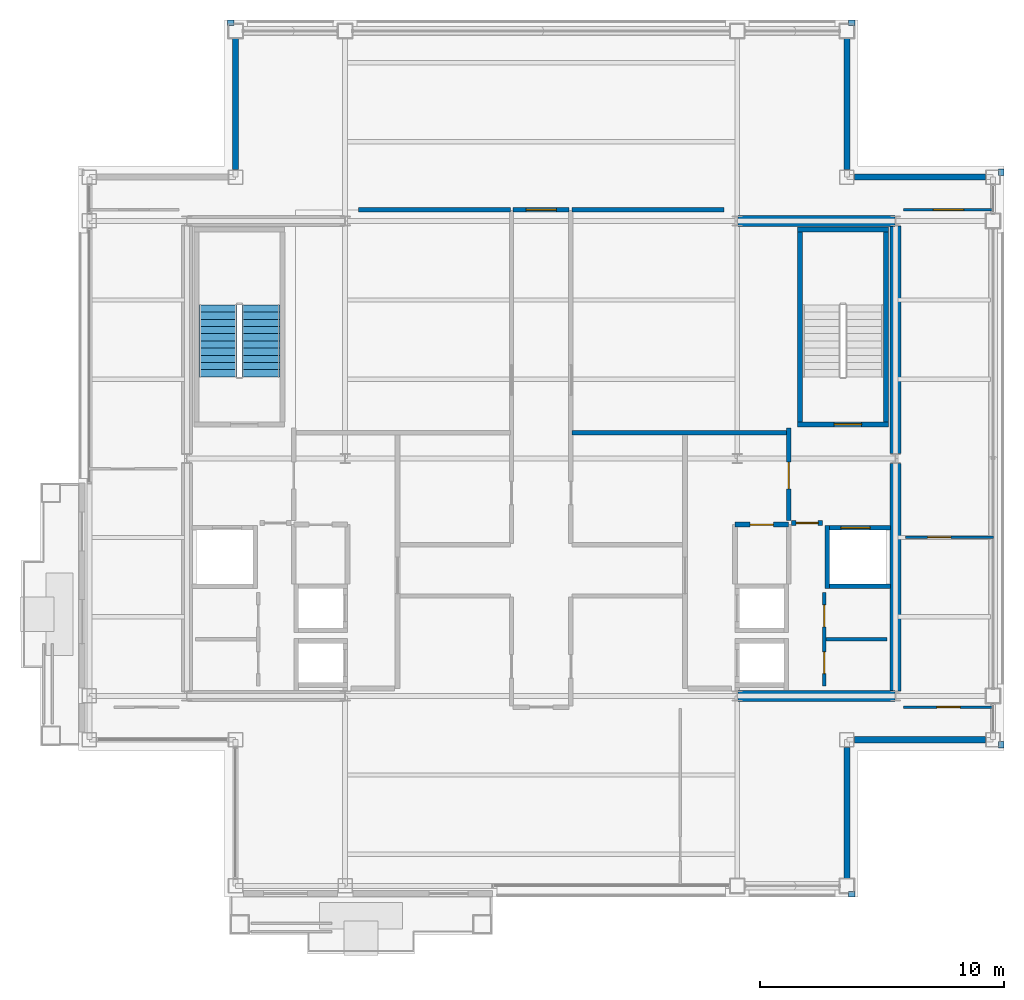
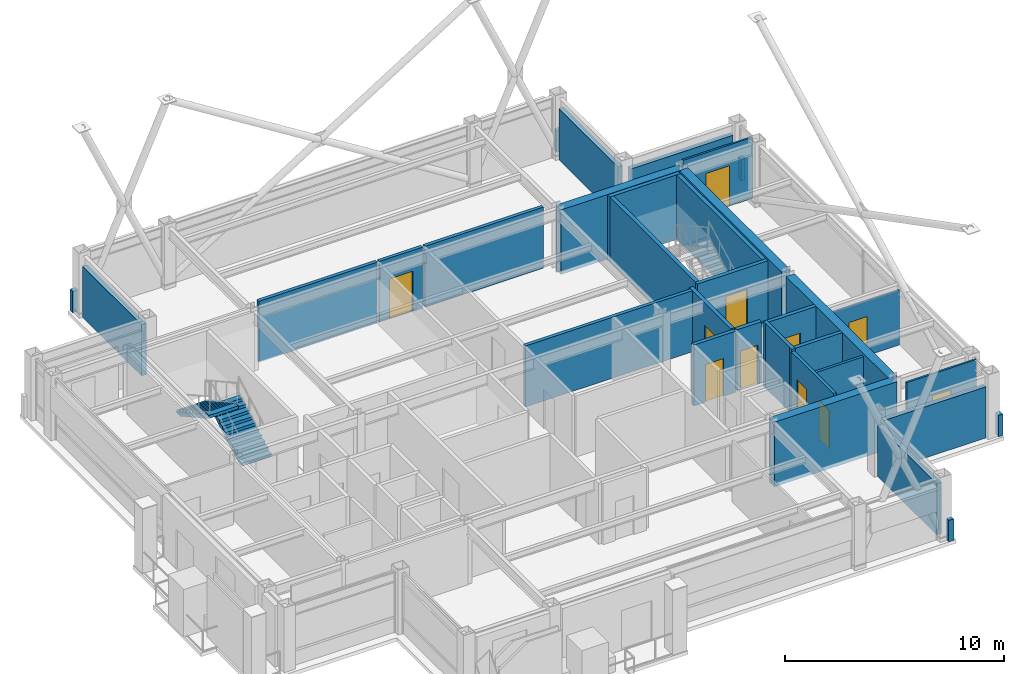
# One storey, part 24 of 27: 33 walls, 11 doors, 2 stair flights, 11 openings, 1 element without a shape of its own.
"""IFC4 building model written with IfcOpenShell, lengths in metres."""

import ifcopenshell
import ifcopenshell.guid

model = None  # the IFC model being written
_history = None  # IfcOwnerHistory: only IFC2X3 demands one
_inside = {}  # id of a spatial element -> (the spatial element, [elements in it])
_under = {}  # id of a project, library or spatial element -> (it, [spatial elements below it])
_declared = {}  # id of a project -> (the project, [libraries it declares])
_typed = {}  # id of a type object -> (the type object, [elements of that type])
_made_of = {}  # id of a material, layer set ... -> (it, [elements and type objects made of it])


def new_model(schema):
    """Start an empty IFC model of exactly this schema.

    Asked for "IFC4X3", IfcOpenShell would pick the latest addendum, in which some entities
    have other attributes; the version numbers below select the first issue.
    IFC2X3 requires an IfcOwnerHistory on every rooted entity: one is made here for all.
    """
    global model, _history
    if schema == "IFC4X3":
        model = ifcopenshell.file(schema_version=(4, 3, 0, 0))
    else:
        model = ifcopenshell.file(schema=schema)
    _inside.clear()
    _under.clear()
    _declared.clear()
    _typed.clear()
    _made_of.clear()
    _history = None
    if model.schema == "IFC2X3":
        org = make("IfcOrganization", Name="unknown")
        user = make(
            "IfcPersonAndOrganization",
            ThePerson=make("IfcPerson", FamilyName="unknown"),
            TheOrganization=org,
        )
        app = make(
            "IfcApplication",
            ApplicationDeveloper=org,
            Version="unknown",
            ApplicationFullName="unknown",
            ApplicationIdentifier="unknown",
        )
        _history = make(
            "IfcOwnerHistory",
            OwningUser=user,
            OwningApplication=app,
            ChangeAction="ADDED",
            CreationDate=0,
        )
    return model


def make(cls, **values):
    """One entity of the class cls with the attributes given. An attribute that is None is left unset."""
    return model.create_entity(
        cls, **{name: value for name, value in values.items() if value is not None}
    )


def rooted(cls, **values):
    """An entity with a GlobalId (a new one), such as an element, a storey or a relation."""
    return make(cls, GlobalId=ifcopenshell.guid.new(), OwnerHistory=_history, **values)


def si_unit(unit_type, name, prefix=None):
    """IfcSIUnit, for example si_unit("LENGTHUNIT", "METRE", prefix="MILLI")."""
    return make("IfcSIUnit", UnitType=unit_type, Prefix=prefix, Name=name)


def assignment(units):
    """IfcUnitAssignment: the units of a project."""
    return None if units is None else make("IfcUnitAssignment", Units=units)


def point(xyz):
    """IfcCartesianPoint."""
    return None if xyz is None else make("IfcCartesianPoint", Coordinates=xyz)


def direction(xyz):
    """IfcDirection."""
    return None if xyz is None else make("IfcDirection", DirectionRatios=xyz)


def frame(location, z_axis=None, x_axis=None):
    """IfcAxis2Placement3D, a coordinate frame: its origin and axes. An axis left out is left unset."""
    return make(
        "IfcAxis2Placement3D",
        Location=point(location),
        Axis=direction(z_axis),
        RefDirection=direction(x_axis),
    )


def frame_2d(location, x_axis=None):
    """IfcAxis2Placement2D, a coordinate frame in the plane: its origin and x axis."""
    return make(
        "IfcAxis2Placement2D", Location=point(location), RefDirection=direction(x_axis)
    )


def origin():
    """The frame at (0, 0, 0) with its axes left unset."""
    return frame((0.0, 0.0, 0.0))


def place(relative_to, where):
    """IfcLocalPlacement: puts the frame where relative to a parent placement (None: the world)."""
    return make(
        "IfcLocalPlacement", PlacementRelTo=relative_to, RelativePlacement=where
    )


def context(
    kind, dimensions, precision=None, world=None, true_north=None, identifier=None
):
    """IfcGeometricRepresentationContext, for example the 3D "Model" context."""
    return make(
        "IfcGeometricRepresentationContext",
        ContextIdentifier=identifier,
        ContextType=kind,
        CoordinateSpaceDimension=dimensions,
        Precision=precision,
        WorldCoordinateSystem=world,
        TrueNorth=true_north,
    )


def subcontext(parent, identifier, kind, view, scale=None):
    """IfcGeometricRepresentationSubContext, for example "Body" below "Model"."""
    return make(
        "IfcGeometricRepresentationSubContext",
        ContextIdentifier=identifier,
        ContextType=kind,
        ParentContext=parent,
        TargetScale=scale,
        TargetView=view,
    )


def project(units=None, contexts=None):
    """IfcProject with its units and contexts."""
    return rooted(
        "IfcProject",
        Name="project",
        RepresentationContexts=contexts,
        UnitsInContext=assignment(units),
    )


def spatial(cls, under=None, at=None, **own):
    """A site, building, storey or space (cls), placed at a placement, below another one or the project."""
    s = rooted(cls, ObjectPlacement=at, **own)
    if under is not None:
        _under.setdefault(under.id(), (under, []))[1].append(s)
    return s


def polyline(points):
    """IfcPolyline through the points."""
    return make("IfcPolyline", Points=[point(p) for p in points])


def profile(cls, at=None, kind="AREA", **sizes):
    """A parametric profile (cls). Its sizes go by their IFC names, for example OverallWidth=200.0."""
    return make(cls, ProfileType=kind, Position=at, **sizes)


def rectangle(**sizes):
    """IfcRectangleProfileDef."""
    return profile("IfcRectangleProfileDef", **sizes)


def outline(outer, holes=None, kind="AREA"):
    """IfcArbitraryClosedProfileDef: a profile drawn as a closed curve; with holes, ...WithVoids."""
    if holes is None:
        return make("IfcArbitraryClosedProfileDef", ProfileType=kind, OuterCurve=outer)
    return make(
        "IfcArbitraryProfileDefWithVoids",
        ProfileType=kind,
        OuterCurve=outer,
        InnerCurves=holes,
    )


def extrude(swept, where, along, depth):
    """IfcExtrudedAreaSolid: the profile swept, set in the frame where, extruded along a direction by depth."""
    return make(
        "IfcExtrudedAreaSolid",
        SweptArea=swept,
        Position=where,
        ExtrudedDirection=direction(along),
        Depth=depth,
    )


def shape(context_of_items, identifier, shape_type, items):
    """IfcShapeRepresentation: the items that make up one representation, for example the "Body"."""
    return make(
        "IfcShapeRepresentation",
        ContextOfItems=context_of_items,
        RepresentationIdentifier=identifier,
        RepresentationType=shape_type,
        Items=items,
    )


def material(Name=None, Category=None):
    """IfcMaterial."""
    return make("IfcMaterial", Name=Name, Category=Category)


def layer(
    of_material, thickness, ventilated=None, Name=None, Category=None, Priority=None
):
    """IfcMaterialLayer: one layer of a wall or slab, of a material (None: an air gap)."""
    return make(
        "IfcMaterialLayer",
        Material=of_material,
        LayerThickness=thickness,
        IsVentilated=ventilated,
        Name=Name,
        Category=Category,
        Priority=Priority,
    )


def layer_set(layers, Name=None):
    """IfcMaterialLayerSet."""
    return make("IfcMaterialLayerSet", MaterialLayers=layers, LayerSetName=Name)


def made_of(thing, what):
    """Note that an element or type object is made of a material, layer set ...; save() writes the relation."""
    if what is not None:
        _made_of.setdefault(what.id(), (what, []))[1].append(thing)
    return thing


def type_object(cls, material=None, **own):
    """A type object (cls), such as IfcWallType, which elements share."""
    return made_of(rooted(cls, **own), material)


def element(
    cls,
    number,
    at=None,
    inside=None,
    cuts=None,
    type_object=None,
    material=None,
    context=None,
    identifier="Body",
    shape_type=None,
    held_by="IfcProductDefinitionShape",
    body=None,
    shapes=None,
    **own,
):
    """One element of the class cls, such as IfcWall. Its Tag is "e" and its number.

    at: its placement. inside: the storey or other place that contains it. cuts: it is an
    opening in that element (IfcRelVoidsElement). A single representation is given by context,
    identifier, shape_type and body (its items); several are given by shapes. held_by: the class
    of the entity that holds the representations. save() writes the other relations.
    """
    e = rooted(cls, Tag="e%d" % number, ObjectPlacement=at, **own)
    if body is not None:
        shapes = [shape(context, identifier, shape_type, body)]
    if shapes is not None:
        e.Representation = make(held_by, Representations=shapes)
    if inside is not None:
        _inside.setdefault(inside.id(), (inside, []))[1].append(e)
    if cuts is not None:
        rooted(
            "IfcRelVoidsElement", RelatingBuildingElement=cuts, RelatedOpeningElement=e
        )
    if type_object is not None:
        _typed.setdefault(type_object.id(), (type_object, []))[1].append(e)
    return made_of(e, material)


def fill(opening, filler):
    """IfcRelFillsElement: the door or window that sits in an opening."""
    return rooted(
        "IfcRelFillsElement",
        RelatingOpeningElement=opening,
        RelatedBuildingElement=filler,
    )


def aggregate(whole, parts):
    """IfcRelAggregates: a whole, such as a stair, and the parts it consists of."""
    return rooted("IfcRelAggregates", RelatingObject=whole, RelatedObjects=parts)


def save(model, path):
    """Write the relations noted so far, then the file.

    IfcRelAggregates (storeys below a building ...), IfcRelContainedInSpatialStructure (elements
    in a storey), IfcRelDefinesByType, IfcRelAssociatesMaterial and IfcRelDeclares: one each for
    every whole, place, type object, material and project.
    """
    for whole, parts in _under.values():
        aggregate(whole, parts)
    for where, things in _inside.values():
        rooted(
            "IfcRelContainedInSpatialStructure",
            RelatedElements=things,
            RelatingStructure=where,
        )
    for kind, things in _typed.values():
        rooted("IfcRelDefinesByType", RelatedObjects=things, RelatingType=kind)
    for what, things in _made_of.values():
        rooted("IfcRelAssociatesMaterial", RelatedObjects=things, RelatingMaterial=what)
    for by, libraries in _declared.values():
        rooted("IfcRelDeclares", RelatingContext=by, RelatedDefinitions=libraries)
    model.write(path)


model = new_model("IFC4")

# Units and contexts
model_context = context("Model", 3, precision=1e-05, world=origin(), true_north=direction((0.0, 1.0)))
body_context = subcontext(model_context, "Body", "Model", "MODEL_VIEW")
ifc_project = project(units=[si_unit("LENGTHUNIT", "METRE"), si_unit("AREAUNIT", "SQUARE_METRE"), si_unit("VOLUMEUNIT", "CUBIC_METRE"), si_unit("PLANEANGLEUNIT", "RADIAN"), si_unit("MASSUNIT", "GRAM", prefix="KILO")], contexts=[model_context])

# Site, building, storey
site_placement = place(None, origin())
site = spatial("IfcSite", under=ifc_project, at=site_placement, CompositionType="ELEMENT")
building_placement = place(site_placement, origin())
building = spatial("IfcBuilding", under=site, at=building_placement, Name="Brelmoor Portico Tower", CompositionType="ELEMENT")
storey_placement = place(building_placement, frame((0.0, 0.0, 258.0)))
storey = spatial("IfcBuildingStorey", under=building, at=storey_placement, Name="L68", CompositionType="ELEMENT", Elevation=258.0)

# Walls
ifc_material_1 = material(Name="Concrete C50", Category="concrete")
ifc_layer_1 = layer(ifc_material_1, 0.449951171875)
ifc_layer_set_1 = layer_set([ifc_layer_1], Name="Concrete C50")
wall_type_1 = type_object("IfcWallType", Name="WL-CORE-450", PredefinedType="SHEAR", material=ifc_layer_set_1)
for number, where, z_axis, x_axis, name in (
    (1, (8.070068359375, -9.75, -0.199951171875), (0.0, 0.0, 1.0), (1.0, 0.0, 0.0), "L68 EC South Shear Wall"),
    (2, (8.070068359375, 9.75, -0.199951171875), (0.0, 0.0, 1.0), (1.0, 0.0, 0.0), "L68 EC North Shear Wall"),
):
    element("IfcWall", number, at=place(storey_placement, frame(where, z_axis=z_axis, x_axis=x_axis)), inside=storey, type_object=wall_type_1, Name=name, PredefinedType="SHEAR", context=body_context, shape_type="SweptSolid", body=[
        extrude(rectangle(XDim=6.4599609375, YDim=0.449951171875, at=frame_2d((3.22998046875, 0.0))), origin(), (0.0, 0.0, 1.0), 3.599853515625),
    ])
for number, where, z_axis, x_axis, name in (
    (3, (14.550048828125, -9.550048828125, -0.199951171875), (0.0, 0.0, 1.0), (0.0, 1.0, 0.0), "L68 EC Outer South Shear Wall"),
    (4, (14.550048828125, 0.199951171875, -0.199951171875), (0.0, 0.0, 1.0), (0.0, 1.0, 0.0), "L68 EC Outer North Shear Wall"),
):
    element("IfcWall", number, at=place(storey_placement, frame(where, z_axis=z_axis, x_axis=x_axis)), inside=storey, type_object=wall_type_1, Name=name, PredefinedType="SHEAR", context=body_context, shape_type="SweptSolid", body=[
        extrude(rectangle(XDim=9.35009765625, YDim=0.449951171875, at=frame_2d((4.675048828125, 0.0))), origin(), (0.0, 0.0, 1.0), 3.599853515625),
    ])
ifc_material_2 = material(Name="Precast Concrete C40 Insulated Facade Wall", Category="concrete")
ifc_layer_2 = layer(ifc_material_2, 0.25)
ifc_layer_set_2 = layer_set([ifc_layer_2], Name="Precast Concrete C40 Insulated Facade Wall")
wall_type_2 = type_object("IfcWallType", Name="WL-EXT-250", PredefinedType="STANDARD", material=ifc_layer_set_2)
for number, where, z_axis, x_axis, name in (
    (5, (12.860107421875, -11.550048828125, 0.0), (0.0, 0.0, 1.0), (1.0, 0.0, 0.0), "L68 Corner Notch Facade Wall NSEH1"),
    (6, (12.550048828125, -17.239990234375, 0.0), (0.0, 0.0, 1.0), (0.0, 1.0, 0.0), "L68 Corner Notch Facade Wall NSEV1"),
    (7, (-12.550048828125, 11.860107421875, 0.0), (0.0, 0.0, 1.0), (0.0, 1.0, 0.0), "L68 Corner Notch Facade Wall NNWV1"),
    (8, (12.860107421875, 11.550048828125, 0.0), (0.0, 0.0, 1.0), (1.0, 0.0, 0.0), "L68 Corner Notch Facade Wall NNEH1"),
    (9, (12.550048828125, 11.860107421875, 0.0), (0.0, 0.0, 1.0), (0.0, 1.0, 0.0), "L68 Corner Notch Facade Wall NNEV1"),
):
    element("IfcWall", number, at=place(storey_placement, frame(where, z_axis=z_axis, x_axis=x_axis)), inside=storey, type_object=wall_type_2, Name=name, PredefinedType="STANDARD", context=body_context, shape_type="SweptSolid", body=[
        extrude(rectangle(XDim=5.3798828125, YDim=0.25, at=frame_2d((2.68994140625, 0.0))), origin(), (0.0, 0.0, 1.0), 2.85009765625),
    ])
ifc_material_3 = material(Name="Concrete C40 Parapet Upstand", Category="concrete")
ifc_layer_3 = layer(ifc_material_3, 0.219970703125)
ifc_layer_set_3 = layer_set([ifc_layer_3], Name="Concrete C40 Parapet Upstand")
wall_type_3 = type_object("IfcWallType", Name="WL-PARAPET-220", PredefinedType="PARAPET", material=ifc_layer_set_3)
for number, where, z_axis, x_axis, name in (
    (10, (12.6201171875, -17.889892578125, 0.0), (0.0, 0.0, 1.0), (1.0, 0.0, 0.0), "L68 Chamfer Vertex Parapet Pier SE1"),
    (11, (18.889892578125, -11.889892578125, 0.0), (0.0, 0.0, 1.0), (0.0, 1.0, 0.0), "L68 Chamfer Vertex Parapet Pier SE2"),
    (12, (-12.889892578125, 17.889892578125, 0.0), (0.0, 0.0, 1.0), (1.0, 0.0, 0.0), "L68 Chamfer Vertex Parapet Pier NW1"),
    (13, (12.6201171875, 17.889892578125, 0.0), (0.0, 0.0, 1.0), (1.0, 0.0, 0.0), "L68 Chamfer Vertex Parapet Pier NE1"),
    (14, (18.889892578125, 11.6201171875, 0.0), (0.0, 0.0, 1.0), (0.0, 1.0, 0.0), "L68 Chamfer Vertex Parapet Pier NE2"),
):
    element("IfcWall", number, at=place(storey_placement, frame(where, z_axis=z_axis, x_axis=x_axis)), inside=storey, type_object=wall_type_3, Name=name, PredefinedType="PARAPET", context=body_context, shape_type="SweptSolid", body=[
        extrude(rectangle(XDim=0.269775390625, YDim=0.219970703125, at=frame_2d((0.134765625, 0.0))), origin(), (0.0, 0.0, 1.0), 1.199951171875),
    ])

# Wall, opening, door
ifc_material_4 = material(Name="Demountable Glazed Office Partition", Category="aluminium")
ifc_layer_4 = layer(ifc_material_4, 0.10009765625)
ifc_layer_set_4 = layer_set([ifc_layer_4], Name="Demountable Glazed Office Partition")
wall_type_4 = type_object("IfcWallType", Name="WL-PART-100", PredefinedType="PARTITIONING", material=ifc_layer_set_4)
wall_1_placement = place(storey_placement, frame((14.8798828125, 10.2099609375, 0.0), z_axis=(0.0, 0.0, 1.0), x_axis=(1.0, 0.0, 0.0)))
wall_1 = element("IfcWall", 15, at=wall_1_placement, inside=storey, type_object=wall_type_4, Name="L68 North Wing Suite Wall ER", PredefinedType="PARTITIONING", context=body_context, shape_type="SweptSolid", body=[
    extrude(rectangle(XDim=3.68017578125, YDim=0.10009765625, at=frame_2d((1.840087890625, 0.0))), origin(), (0.0, 0.0, 1.0), 3.39990234375),
])
opening_1_placement = place(wall_1_placement, frame((1.219970703125, 0.0, 0.0)))
opening_1 = element("IfcOpeningElement", 16, at=opening_1_placement, cuts=wall_1, Name="Opening D-SU1", PredefinedType="OPENING", context=body_context, shape_type="SweptSolid", body=[
    extrude(rectangle(XDim=1.239990234375, YDim=2.239990234375, at=frame_2d((0.6201171875, 1.1201171875))), frame((0.0, 0.06005859375, 0.0), z_axis=(0.0, -1.0, 0.0), x_axis=(1.0, 0.0, 0.0)), (0.0, 0.0, 1.0), 0.1201171875),
])
ifc_material_5 = material(Name="Glazed Timber Executive Suite Door", Category="wood")
door_type_1 = type_object("IfcDoorType", Name="DR-SUITE-1200", OperationType="NOTDEFINED", PredefinedType="DOOR", material=ifc_material_5)
door_1_placement = place(opening_1_placement, origin())
door_1 = element("IfcDoor", 17, at=door_1_placement, inside=storey, type_object=door_type_1, Name="D-2802 L68 ER Wing Suite Connecting Door", OperationType="SINGLE_SWING_RIGHT", OverallHeight=2.239990234375, OverallWidth=1.239990234375, PredefinedType="DOOR", context=body_context, shape_type="SweptSolid", body=[
    extrude(rectangle(XDim=1.239990234375, YDim=2.239990234375, at=frame_2d((0.6201171875, 1.1201171875))), frame((0.0, 0.02490234375, 0.0), z_axis=(0.0, -1.0, 0.0), x_axis=(1.0, 0.0, 0.0)), (0.0, 0.0, 1.0), 0.050048828125),
])
fill(opening_1, door_1)

wall_2_placement = place(storey_placement, frame((14.8798828125, -10.2099609375, 0.0), z_axis=(0.0, 0.0, 1.0), x_axis=(1.0, 0.0, 0.0)))
wall_2 = element("IfcWall", 18, at=wall_2_placement, inside=storey, type_object=wall_type_4, Name="L68 South Wing Closure ER", PredefinedType="PARTITIONING", context=body_context, shape_type="SweptSolid", body=[
    extrude(rectangle(XDim=3.68017578125, YDim=0.10009765625, at=frame_2d((1.840087890625, 0.0))), origin(), (0.0, 0.0, 1.0), 3.39990234375),
])
opening_2_placement = place(wall_2_placement, frame((1.360107421875, 0.0, 0.0)))
opening_2 = element("IfcOpeningElement", 19, at=opening_2_placement, cuts=wall_2, Name="Opening D-IN2", PredefinedType="OPENING", context=body_context, shape_type="SweptSolid", body=[
    extrude(rectangle(XDim=0.9599609375, YDim=2.179931640625, at=frame_2d((0.47998046875, 1.08984375))), frame((0.0, 0.06005859375, 0.0), z_axis=(0.0, -1.0, 0.0), x_axis=(1.0, 0.0, 0.0)), (0.0, 0.0, 1.0), 0.1201171875),
])
ifc_material_6 = material(Name="Lacquered Timber Suite Door", Category="wood")
door_type_2 = type_object("IfcDoorType", Name="DR-INT-950", OperationType="NOTDEFINED", PredefinedType="DOOR", material=ifc_material_6)
door_2_placement = place(opening_2_placement, origin())
door_2 = element("IfcDoor", 20, at=door_2_placement, inside=storey, type_object=door_type_2, Name="D-2808 L68 ER Wing South Suite Door", OperationType="SINGLE_SWING_RIGHT", OverallHeight=2.179931640625, OverallWidth=0.9599609375, PredefinedType="DOOR", context=body_context, shape_type="SweptSolid", body=[
    extrude(rectangle(XDim=0.9599609375, YDim=2.179931640625, at=frame_2d((0.47998046875, 1.08984375))), frame((0.0, 0.02490234375, 0.0), z_axis=(0.0, -1.0, 0.0), x_axis=(1.0, 0.0, 0.0)), (0.0, 0.0, 1.0), 0.050048828125),
])
fill(opening_2, door_2)

wall_3_placement = place(storey_placement, frame((14.9599609375, -3.24169921875, 0.0), z_axis=(0.0, 0.0, 1.0), x_axis=(1.0, 0.0, 0.0)))
wall_3 = element("IfcWall", 21, at=wall_3_placement, inside=storey, type_object=wall_type_4, Name="L68 E Wing Partition 1", PredefinedType="PARTITIONING", context=body_context, shape_type="SweptSolid", body=[
    extrude(rectangle(XDim=3.60009765625, YDim=0.10009765625, at=frame_2d((1.800048828125, 0.0))), origin(), (0.0, 0.0, 1.0), 3.050048828125),
])
opening_3_placement = place(wall_3_placement, frame((0.89990234375, 0.0, 0.0)))
opening_3 = element("IfcOpeningElement", 22, at=opening_3_placement, cuts=wall_3, Name="Opening D-IN2", PredefinedType="OPENING", context=body_context, shape_type="SweptSolid", body=[
    extrude(rectangle(XDim=0.9599609375, YDim=2.179931640625, at=frame_2d((0.47998046875, 1.08984375))), frame((0.0, 0.06005859375, 0.0), z_axis=(0.0, -1.0, 0.0), x_axis=(1.0, 0.0, 0.0)), (0.0, 0.0, 1.0), 0.1201171875),
])
door_3_placement = place(opening_3_placement, origin())
door_3 = element("IfcDoor", 23, at=door_3_placement, inside=storey, type_object=door_type_2, Name="D-2812 L68 E Wing Suite Connecting Door 1", OperationType="SINGLE_SWING_RIGHT", OverallHeight=2.179931640625, OverallWidth=0.9599609375, PredefinedType="DOOR", context=body_context, shape_type="SweptSolid", body=[
    extrude(rectangle(XDim=0.9599609375, YDim=2.179931640625, at=frame_2d((0.47998046875, 1.08984375))), frame((0.0, 0.02490234375, 0.0), z_axis=(0.0, -1.0, 0.0), x_axis=(1.0, 0.0, 0.0)), (0.0, 0.0, 1.0), 0.050048828125),
])
fill(opening_3, door_3)

# Wall
ifc_material_7 = material(Name="Insulated Stud Suite Partition", Category="gypsum")
ifc_layer_5 = layer(ifc_material_7, 0.139892578125)
ifc_layer_set_5 = layer_set([ifc_layer_5], Name="Insulated Stud Suite Partition")
wall_type_5 = type_object("IfcWallType", Name="WL-PART-140", PredefinedType="PARTITIONING", material=ifc_layer_set_5)
wall_4_placement = place(storey_placement, frame((11.699951171875, -7.425048828125, 0.0), z_axis=(0.0, 0.0, 1.0), x_axis=(1.0, 0.0, 0.0)))
element("IfcWall", 24, at=wall_4_placement, inside=storey, type_object=wall_type_5, Name="L68 E Core WC Divider 1", PredefinedType="PARTITIONING", context=body_context, shape_type="SweptSolid", body=[
    extrude(rectangle(XDim=2.5, YDim=0.139892578125, at=frame_2d((1.25, 0.0))), origin(), (0.0, 0.0, 1.0), 3.39990234375),
])

# Wall, openings, doors
ifc_material_8 = material(Name="Twin-Frame Acoustic Partition", Category="gypsum")
ifc_layer_6 = layer(ifc_material_8, 0.159912109375)
ifc_layer_set_6 = layer_set([ifc_layer_6], Name="Twin-Frame Acoustic Partition")
wall_type_6 = type_object("IfcWallType", Name="WL-PART-160", PredefinedType="PARTITIONING", material=ifc_layer_set_6)
wall_5_placement = place(storey_placement, frame((11.6201171875, -9.35009765625, 0.0), z_axis=(0.0, 0.0, 1.0), x_axis=(0.0, 1.0, 0.0)))
wall_5 = element("IfcWall", 25, at=wall_5_placement, inside=storey, type_object=wall_type_6, Name="L68 E Core Service Front Wall", PredefinedType="PARTITIONING", context=body_context, shape_type="SweptSolid", body=[
    extrude(rectangle(XDim=3.85009765625, YDim=0.159912109375, at=frame_2d((1.925048828125, 0.0))), origin(), (0.0, 0.0, 1.0), 3.39990234375),
])
opening_4_placement = place(wall_5_placement, frame((0.512451171875, 0.0, 0.0)))
opening_4 = element("IfcOpeningElement", 26, at=opening_4_placement, cuts=wall_5, Name="Opening D-IN1", PredefinedType="OPENING", context=body_context, shape_type="SweptSolid", body=[
    extrude(rectangle(XDim=0.89990234375, YDim=2.14990234375, at=frame_2d((0.449951171875, 1.074951171875))), frame((0.0, 0.08984375, 0.0), z_axis=(0.0, -1.0, 0.0), x_axis=(1.0, 0.0, 0.0)), (0.0, 0.0, 1.0), 0.179931640625),
])
opening_5_placement = place(wall_5_placement, frame((2.4375, 0.0, 0.0)))
opening_5 = element("IfcOpeningElement", 27, at=opening_5_placement, cuts=wall_5, Name="Opening D-IN1", PredefinedType="OPENING", context=body_context, shape_type="SweptSolid", body=[
    extrude(rectangle(XDim=0.89990234375, YDim=2.14990234375, at=frame_2d((0.449951171875, 1.074951171875))), frame((0.0, 0.08984375, 0.0), z_axis=(0.0, -1.0, 0.0), x_axis=(1.0, 0.0, 0.0)), (0.0, 0.0, 1.0), 0.179931640625),
])
door_type_3 = type_object("IfcDoorType", Name="DR-INT-900", OperationType="NOTDEFINED", PredefinedType="DOOR", material=ifc_material_6)
door_4_placement = place(opening_4_placement, origin())
door_4 = element("IfcDoor", 28, at=door_4_placement, inside=storey, type_object=door_type_3, Name="D-2789 L68 E Male WC Door", OperationType="SINGLE_SWING_RIGHT", OverallHeight=2.14990234375, OverallWidth=0.89990234375, PredefinedType="DOOR", context=body_context, shape_type="SweptSolid", body=[
    extrude(rectangle(XDim=0.89990234375, YDim=2.14990234375, at=frame_2d((0.449951171875, 1.074951171875))), frame((0.0, 0.02490234375, 0.0), z_axis=(0.0, -1.0, 0.0), x_axis=(1.0, 0.0, 0.0)), (0.0, 0.0, 1.0), 0.050048828125),
])
fill(opening_4, door_4)
door_5_placement = place(opening_5_placement, origin())
door_5 = element("IfcDoor", 29, at=door_5_placement, inside=storey, type_object=door_type_3, Name="D-2790 L68 E Female WC Door", OperationType="SINGLE_SWING_LEFT", OverallHeight=2.14990234375, OverallWidth=0.89990234375, PredefinedType="DOOR", context=body_context, shape_type="SweptSolid", body=[
    extrude(rectangle(XDim=0.89990234375, YDim=2.14990234375, at=frame_2d((0.449951171875, 1.074951171875))), frame((0.0, 0.02490234375, 0.0), z_axis=(0.0, -1.0, 0.0), x_axis=(1.0, 0.0, 0.0)), (0.0, 0.0, 1.0), 0.050048828125),
])
fill(opening_5, door_5)

# Walls
ifc_material_9 = material(Name="Acoustic Corridor Fire Partition", Category="gypsum")
ifc_layer_7 = layer(ifc_material_9, 0.179931640625)
ifc_layer_set_7 = layer_set([ifc_layer_7], Name="Acoustic Corridor Fire Partition")
wall_type_7 = type_object("IfcWallType", Name="WL-PART-180", PredefinedType="PARTITIONING", material=ifc_layer_set_7)
wall_6_placement = place(storey_placement, frame((-7.5, 10.2099609375, 0.0), z_axis=(0.0, 0.0, 1.0), x_axis=(1.0, 0.0, 0.0)))
element("IfcWall", 30, at=wall_6_placement, inside=storey, type_object=wall_type_7, Name="L68 West Reclaimed Suite North Wall", PredefinedType="PARTITIONING", context=body_context, shape_type="SweptSolid", body=[
    extrude(rectangle(XDim=6.239990234375, YDim=0.179931640625, at=frame_2d((3.1201171875, 0.0))), origin(), (0.0, 0.0, 1.0), 3.39990234375),
])
wall_7_placement = place(storey_placement, frame((1.260009765625, 1.050048828125, 0.0), z_axis=(0.0, 0.0, 1.0), x_axis=(1.0, 0.0, 0.0)))
element("IfcWall", 31, at=wall_7_placement, inside=storey, type_object=wall_type_7, Name="L68 East Suite South Wall", PredefinedType="PARTITIONING", context=body_context, shape_type="SweptSolid", body=[
    extrude(rectangle(XDim=8.800048828125, YDim=0.179931640625, at=frame_2d((4.39990234375, 0.0))), origin(), (0.0, 0.0, 1.0), 3.39990234375),
])
wall_8_placement = place(storey_placement, frame((1.260009765625, 10.2099609375, 0.0), z_axis=(0.0, 0.0, 1.0), x_axis=(1.0, 0.0, 0.0)))
element("IfcWall", 32, at=wall_8_placement, inside=storey, type_object=wall_type_7, Name="L68 East Suite North Wall", PredefinedType="PARTITIONING", context=body_context, shape_type="SweptSolid", body=[
    extrude(rectangle(XDim=6.239990234375, YDim=0.179931640625, at=frame_2d((3.1201171875, 0.0))), origin(), (0.0, 0.0, 1.0), 3.39990234375),
])

# Wall, opening, door
wall_9_placement = place(storey_placement, frame((-1.14990234375, 10.2099609375, 0.0), z_axis=(0.0, 0.0, 1.0), x_axis=(1.0, 0.0, 0.0)))
wall_9 = element("IfcWall", 33, at=wall_9_placement, inside=storey, type_object=wall_type_7, Name="L68 North Corridor Partition", PredefinedType="PARTITIONING", context=body_context, shape_type="SweptSolid", body=[
    extrude(rectangle(XDim=2.2998046875, YDim=0.179931640625, at=frame_2d((1.14990234375, 0.0))), origin(), (0.0, 0.0, 1.0), 3.39990234375),
])
opening_6_placement = place(wall_9_placement, frame((0.530029296875, 0.0, 0.0)))
opening_6 = element("IfcOpeningElement", 34, at=opening_6_placement, cuts=wall_9, Name="Opening D-SU1", PredefinedType="OPENING", context=body_context, shape_type="SweptSolid", body=[
    extrude(rectangle(XDim=1.239990234375, YDim=2.239990234375, at=frame_2d((0.6201171875, 1.1201171875))), frame((0.0, 0.099853515625, 0.0), z_axis=(0.0, -1.0, 0.0), x_axis=(1.0, 0.0, 0.0)), (0.0, 0.0, 1.0), 0.199951171875),
])
door_6_placement = place(opening_6_placement, origin())
door_6 = element("IfcDoor", 35, at=door_6_placement, inside=storey, type_object=door_type_1, Name="D-2801 L68 North Technical Archive Store 1 Door", OperationType="SINGLE_SWING_RIGHT", OverallHeight=2.239990234375, OverallWidth=1.239990234375, PredefinedType="DOOR", context=body_context, shape_type="SweptSolid", body=[
    extrude(rectangle(XDim=1.239990234375, YDim=2.239990234375, at=frame_2d((0.6201171875, 1.1201171875))), frame((0.0, 0.02490234375, 0.0), z_axis=(0.0, -1.0, 0.0), x_axis=(1.0, 0.0, 0.0)), (0.0, 0.0, 1.0), 0.050048828125),
])
fill(opening_6, door_6)

ifc_material_10 = material(Name="Double-Stud Gypsum Fire Partition", Category="gypsum")
ifc_layer_8 = layer(ifc_material_10, 0.199951171875)
ifc_layer_set_8 = layer_set([ifc_layer_8], Name="Double-Stud Gypsum Fire Partition")
wall_type_8 = type_object("IfcWallType", Name="WL-PART-200", PredefinedType="PARTITIONING", material=ifc_layer_set_8)
wall_10_placement = place(storey_placement, frame((10.159912109375, -2.550048828125, 0.0), z_axis=(0.0, 0.0, 1.0), x_axis=(0.0, 1.0, 0.0)))
wall_10 = element("IfcWall", 36, at=wall_10_placement, inside=storey, type_object=wall_type_8, Name="L68 E Firefighting Lobby Wall", PredefinedType="PARTITIONING", context=body_context, shape_type="SweptSolid", body=[
    extrude(rectangle(XDim=3.800048828125, YDim=0.199951171875, at=frame_2d((1.89990234375, 0.0))), origin(), (0.0, 0.0, 1.0), 3.39990234375),
])
opening_7_placement = place(wall_10_placement, frame((1.300048828125, 0.0, 0.0)))
opening_7 = element("IfcOpeningElement", 37, at=opening_7_placement, cuts=wall_10, Name="Opening D-FR1", PredefinedType="OPENING", context=body_context, shape_type="SweptSolid", body=[
    extrude(rectangle(XDim=1.10009765625, YDim=2.14990234375, at=frame_2d((0.550048828125, 1.074951171875))), frame((0.0, 0.10986328125, 0.0), z_axis=(0.0, -1.0, 0.0), x_axis=(1.0, 0.0, 0.0)), (0.0, 0.0, 1.0), 0.219970703125),
])
ifc_material_11 = material(Name="Painted Galvanised Steel Fire Door", Category="steel")
door_type_4 = type_object("IfcDoorType", Name="DR-FIRE-1100", OperationType="NOTDEFINED", PredefinedType="DOOR", material=ifc_material_11)
door_7_placement = place(opening_7_placement, origin())
door_7 = element("IfcDoor", 38, at=door_7_placement, inside=storey, type_object=door_type_4, Name="D-2797 L68 E Firefighting Lobby Door", OperationType="SINGLE_SWING_LEFT", OverallHeight=2.14990234375, OverallWidth=1.10009765625, PredefinedType="DOOR", context=body_context, shape_type="SweptSolid", body=[
    extrude(rectangle(XDim=1.10009765625, YDim=2.14990234375, at=frame_2d((0.550048828125, 1.074951171875))), frame((0.0, 0.02490234375, 0.0), z_axis=(0.0, -1.0, 0.0), x_axis=(1.0, 0.0, 0.0)), (0.0, 0.0, 1.0), 0.050048828125),
])
fill(opening_7, door_7)

wall_11_placement = place(storey_placement, frame((10.280029296875, -2.64990234375, 0.0), z_axis=(0.0, 0.0, 1.0), x_axis=(1.0, 0.0, 0.0)))
wall_11 = element("IfcWall", 39, at=wall_11_placement, inside=storey, type_object=wall_type_8, Name="L68 E Firefighting Lobby South Wall", PredefinedType="PARTITIONING", context=body_context, shape_type="SweptSolid", body=[
    extrude(rectangle(XDim=1.27001953125, YDim=0.199951171875, at=frame_2d((0.635009765625, 0.0))), origin(), (0.0, 0.0, 1.0), 3.39990234375),
])
opening_8_placement = place(wall_11_placement, frame((0.18505859375, 0.0, 0.0)))
opening_8 = element("IfcOpeningElement", 40, at=opening_8_placement, cuts=wall_11, Name="Opening D-IN1", PredefinedType="OPENING", context=body_context, shape_type="SweptSolid", body=[
    extrude(rectangle(XDim=0.89990234375, YDim=2.14990234375, at=frame_2d((0.449951171875, 1.074951171875))), frame((0.0, 0.10986328125, 0.0), z_axis=(0.0, -1.0, 0.0), x_axis=(1.0, 0.0, 0.0)), (0.0, 0.0, 1.0), 0.219970703125),
])
door_8_placement = place(opening_8_placement, origin())
door_8 = element("IfcDoor", 41, at=door_8_placement, inside=storey, type_object=door_type_3, Name="D-2791 L68 E Core Service Vestibule Door", OperationType="SINGLE_SWING_RIGHT", OverallHeight=2.14990234375, OverallWidth=0.89990234375, PredefinedType="DOOR", context=body_context, shape_type="SweptSolid", body=[
    extrude(rectangle(XDim=0.89990234375, YDim=2.14990234375, at=frame_2d((0.449951171875, 1.074951171875))), frame((0.0, 0.02490234375, 0.0), z_axis=(0.0, -1.0, 0.0), x_axis=(1.0, 0.0, 0.0)), (0.0, 0.0, 1.0), 0.050048828125),
])
fill(opening_8, door_8)

wall_12_placement = place(storey_placement, frame((7.9599609375, -2.719970703125, 0.0), z_axis=(0.0, 0.0, 1.0), x_axis=(1.0, 0.0, 0.0)))
wall_12 = element("IfcWall", 42, at=wall_12_placement, inside=storey, type_object=wall_type_8, Name="L68 E Electrical Switchgear Closet Wall", PredefinedType="PARTITIONING", context=body_context, shape_type="SweptSolid", body=[
    extrude(rectangle(XDim=2.199951171875, YDim=0.199951171875, at=frame_2d((1.10009765625, 0.0))), origin(), (0.0, 0.0, 1.0), 3.39990234375),
])
opening_9_placement = place(wall_12_placement, frame((0.6201171875, 0.0, 0.0)))
opening_9 = element("IfcOpeningElement", 43, at=opening_9_placement, cuts=wall_12, Name="Opening D-FR4", PredefinedType="OPENING", context=body_context, shape_type="SweptSolid", body=[
    extrude(rectangle(XDim=0.949951171875, YDim=2.10009765625, at=frame_2d((0.47509765625, 1.050048828125))), frame((0.0, 0.10986328125, 0.0), z_axis=(0.0, -1.0, 0.0), x_axis=(1.0, 0.0, 0.0)), (0.0, 0.0, 1.0), 0.219970703125),
])
ifc_material_12 = material(Name="Painted Galvanised Steel Riser Door", Category="steel")
door_type_5 = type_object("IfcDoorType", Name="DR-FIRE-950", OperationType="NOTDEFINED", PredefinedType="DOOR", material=ifc_material_12)
door_9_placement = place(opening_9_placement, origin())
door_9 = element("IfcDoor", 44, at=door_9_placement, inside=storey, type_object=door_type_5, Name="D-2795 L68 E Electrical Switchgear Closet Door", OperationType="SINGLE_SWING_LEFT", OverallHeight=2.10009765625, OverallWidth=0.949951171875, PredefinedType="DOOR", context=body_context, shape_type="SweptSolid", body=[
    extrude(rectangle(XDim=0.949951171875, YDim=2.10009765625, at=frame_2d((0.47509765625, 1.050048828125))), frame((0.0, 0.02490234375, 0.0), z_axis=(0.0, -1.0, 0.0), x_axis=(1.0, 0.0, 0.0)), (0.0, 0.0, 1.0), 0.050048828125),
])
fill(opening_9, door_9)

ifc_material_13 = material(Name="Precast Concrete C40", Category="concrete")
ifc_layer_9 = layer(ifc_material_13, 0.18994140625)
ifc_layer_set_9 = layer_set([ifc_layer_9], Name="Precast Concrete C40")
wall_type_9 = type_object("IfcWallType", Name="WL-SHAFT-180", PredefinedType="SOLIDWALL", material=ifc_layer_set_9)
wall_13_placement = place(storey_placement, frame((11.64990234375, -2.844970703125, -0.199951171875), z_axis=(0.0, 0.0, 1.0), x_axis=(1.0, 0.0, 0.0)))
wall_13 = element("IfcWall", 45, at=wall_13_placement, inside=storey, type_object=wall_type_9, Name="L68 Lift FF2 Hoistway Front Wall", PredefinedType="SOLIDWALL", context=body_context, shape_type="SweptSolid", body=[
    extrude(rectangle(XDim=2.68017578125, YDim=0.18994140625, at=frame_2d((1.340087890625, 0.0))), origin(), (0.0, 0.0, 1.0), 3.599853515625),
])
opening_10_placement = place(wall_13_placement, frame((0.64990234375, 0.0, 0.199951171875)))
opening_10 = element("IfcOpeningElement", 46, at=opening_10_placement, cuts=wall_13, Name="Opening LD-02", PredefinedType="OPENING", context=body_context, shape_type="SweptSolid", body=[
    extrude(rectangle(XDim=1.199951171875, YDim=2.199951171875, at=frame_2d((0.60009765625, 1.10009765625))), frame((0.0, 0.10498046875, 0.0), z_axis=(0.0, -1.0, 0.0), x_axis=(1.0, 0.0, 0.0)), (0.0, 0.0, 1.0), 0.2099609375),
])
ifc_material_14 = material(Name="Brushed Stainless Steel Firefighting Lift Door", Category="steel")
door_type_6 = type_object("IfcDoorType", Name="DR-LIFT-1200", OperationType="NOTDEFINED", PredefinedType="DOOR", material=ifc_material_14)
door_10_placement = place(opening_10_placement, origin())
door_10 = element("IfcDoor", 47, at=door_10_placement, inside=storey, type_object=door_type_6, Name="D-2815 L68 Lift FF2 Sliding Landing Door", OperationType="SLIDING_TO_LEFT", OverallHeight=2.199951171875, OverallWidth=1.199951171875, PredefinedType="DOOR", context=body_context, shape_type="SweptSolid", body=[
    extrude(rectangle(XDim=1.199951171875, YDim=2.199951171875, at=frame_2d((0.60009765625, 1.10009765625))), frame((0.0, 0.02490234375, 0.0), z_axis=(0.0, -1.0, 0.0), x_axis=(1.0, 0.0, 0.0)), (0.0, 0.0, 1.0), 0.050048828125),
])
fill(opening_10, door_10)

# Walls
wall_14_placement = place(storey_placement, frame((11.64990234375, -5.2548828125, -0.199951171875), z_axis=(0.0, 0.0, 1.0), x_axis=(1.0, 0.0, 0.0)))
element("IfcWall", 48, at=wall_14_placement, inside=storey, type_object=wall_type_9, Name="L68 Firefighting Lift FF2 South Wall", PredefinedType="SOLIDWALL", context=body_context, shape_type="SweptSolid", body=[
    extrude(rectangle(XDim=2.68017578125, YDim=0.18994140625, at=frame_2d((1.340087890625, 0.0))), origin(), (0.0, 0.0, 1.0), 3.599853515625),
])
wall_15_placement = place(storey_placement, frame((11.7451171875, -5.35009765625, -0.199951171875), z_axis=(0.0, 0.0, 1.0), x_axis=(0.0, 1.0, 0.0)))
element("IfcWall", 49, at=wall_15_placement, inside=storey, type_object=wall_type_9, Name="L68 Firefighting Lift FF2 Inner Wall", PredefinedType="SOLIDWALL", context=body_context, shape_type="SweptSolid", body=[
    extrude(rectangle(XDim=2.60009765625, YDim=0.18994140625, at=frame_2d((1.300048828125, 0.0))), origin(), (0.0, 0.0, 1.0), 3.599853515625),
])
ifc_material_15 = material(Name="Concrete C40", Category="concrete")
ifc_layer_10 = layer(ifc_material_15, 0.199951171875)
ifc_layer_set_10 = layer_set([ifc_layer_10], Name="Concrete C40")
wall_type_10 = type_object("IfcWallType", Name="WL-SHAFT-RC200", PredefinedType="SOLIDWALL", material=ifc_layer_set_10)
wall_16_placement = place(storey_placement, frame((14.14990234375, 1.5, -0.199951171875), z_axis=(0.0, 0.0, 1.0), x_axis=(0.0, 1.0, 0.0)))
element("IfcWall", 50, at=wall_16_placement, inside=storey, type_object=wall_type_10, Name="L68 ST-E Structural Stair Wall Outer", PredefinedType="SOLIDWALL", context=body_context, shape_type="SweptSolid", body=[
    extrude(rectangle(XDim=7.800048828125, YDim=0.199951171875, at=frame_2d((3.89990234375, 0.0))), origin(), (0.0, 0.0, 1.0), 3.599853515625),
])

# Wall, opening, door
wall_17_placement = place(storey_placement, frame((10.530029296875, 1.39990234375, -0.199951171875), z_axis=(0.0, 0.0, 1.0), x_axis=(1.0, 0.0, 0.0)))
wall_17 = element("IfcWall", 51, at=wall_17_placement, inside=storey, type_object=wall_type_10, Name="L68 ST-E Structural Stair Wall S", PredefinedType="SOLIDWALL", context=body_context, shape_type="SweptSolid", body=[
    extrude(rectangle(XDim=3.719970703125, YDim=0.199951171875, at=frame_2d((1.85986328125, 0.0))), origin(), (0.0, 0.0, 1.0), 3.599853515625),
])
opening_11_placement = place(wall_17_placement, frame((1.5, 0.0, 0.199951171875)))
opening_11 = element("IfcOpeningElement", 52, at=opening_11_placement, cuts=wall_17, Name="Opening D-ST1", PredefinedType="OPENING", context=body_context, shape_type="SweptSolid", body=[
    extrude(rectangle(XDim=1.1201171875, YDim=2.179931640625, at=frame_2d((0.56005859375, 1.08984375))), frame((0.0, 0.10986328125, 0.0), z_axis=(0.0, -1.0, 0.0), x_axis=(1.0, 0.0, 0.0)), (0.0, 0.0, 1.0), 0.219970703125),
])
door_type_7 = type_object("IfcDoorType", Name="DR-STAIR-1100", OperationType="NOTDEFINED", PredefinedType="DOOR", material=ifc_material_11)
door_11_placement = place(opening_11_placement, origin())
door_11 = element("IfcDoor", 53, at=door_11_placement, inside=storey, type_object=door_type_7, Name="D-2806 L68 ST-E Protected Exit Stair Door", OperationType="SINGLE_SWING_RIGHT", OverallHeight=2.179931640625, OverallWidth=1.1201171875, PredefinedType="DOOR", context=body_context, shape_type="SweptSolid", body=[
    extrude(rectangle(XDim=1.1201171875, YDim=2.179931640625, at=frame_2d((0.56005859375, 1.08984375))), frame((0.0, 0.02490234375, 0.0), z_axis=(0.0, -1.0, 0.0), x_axis=(1.0, 0.0, 0.0)), (0.0, 0.0, 1.0), 0.050048828125),
])
fill(opening_11, door_11)

# Walls
wall_18_placement = place(storey_placement, frame((10.530029296875, 9.39990234375, -0.199951171875), z_axis=(0.0, 0.0, 1.0), x_axis=(1.0, 0.0, 0.0)))
element("IfcWall", 54, at=wall_18_placement, inside=storey, type_object=wall_type_10, Name="L68 ST-E Structural Stair Wall N", PredefinedType="SOLIDWALL", context=body_context, shape_type="SweptSolid", body=[
    extrude(rectangle(XDim=3.719970703125, YDim=0.199951171875, at=frame_2d((1.85986328125, 0.0))), origin(), (0.0, 0.0, 1.0), 3.599853515625),
])
wall_19_placement = place(storey_placement, frame((10.6298828125, 1.5, -0.199951171875), z_axis=(0.0, 0.0, 1.0), x_axis=(0.0, 1.0, 0.0)))
element("IfcWall", 55, at=wall_19_placement, inside=storey, type_object=wall_type_10, Name="L68 ST-E Structural Stair Wall Inner", PredefinedType="SOLIDWALL", context=body_context, shape_type="SweptSolid", body=[
    extrude(rectangle(XDim=7.800048828125, YDim=0.199951171875, at=frame_2d((3.89990234375, 0.0))), origin(), (0.0, 0.0, 1.0), 3.599853515625),
])

# Stair, stair flights
stair_type = type_object("IfcStairType", Name="ST-CORE-W", PredefinedType="HALF_TURN_STAIR", material=ifc_material_15)
stair_placement = place(storey_placement, origin())
stair = element("IfcStair", 56, at=stair_placement, inside=storey, type_object=stair_type, Name="L68 Protected Core Exit Stair ST-W", PredefinedType="HALF_TURN_STAIR")
stair_flight_type = type_object("IfcStairFlightType", Name="SF-CORE-1850", PredefinedType="STRAIGHT", material=ifc_material_15)
stair_flight_1_placement = place(storey_placement, frame((-11.510009765625, 3.35009765625, 0.0), z_axis=(0.0, 0.0, 1.0), x_axis=(0.0, 1.0, 0.0)))
stair_flight_1 = element("IfcStairFlight", 57, at=stair_flight_1_placement, type_object=stair_flight_type, Name="ST-W flight 1", NumberOfRisers=11, NumberOfTreads=10, PredefinedType="STRAIGHT", RiserHeight=0.163636364, TreadLength=0.295, context=body_context, shape_type="SweptSolid", body=[
    extrude(outline(polyline([(0.0, 0.0), (0.0, 0.16357421875), (0.294921875, 0.16357421875), (0.294921875, 0.327392578125), (0.590087890625, 0.327392578125), (0.590087890625, 0.490966796875), (0.885009765625, 0.490966796875), (0.885009765625, 0.654541015625), (1.179931640625, 0.654541015625), (1.179931640625, 0.818115234375), (1.47509765625, 0.818115234375), (1.47509765625, 0.98193359375), (1.77001953125, 0.98193359375), (1.77001953125, 1.1455078125), (2.06494140625, 1.1455078125), (2.06494140625, 1.30908203125), (2.360107421875, 1.30908203125), (2.360107421875, 1.47265625), (2.655029296875, 1.47265625), (2.655029296875, 1.636474609375), (2.949951171875, 1.636474609375), (2.949951171875, 1.800048828125), (2.949951171875, 1.46484375), (0.30908203125, 0.0), (0.0, 0.0)])), frame((0.0, 0.780029296875, 0.0), z_axis=(0.0, -1.0, 0.0), x_axis=(1.0, 0.0, 0.0)), (0.0, 0.0, 1.0), 1.56005859375),
])
stair_flight_2_placement = place(storey_placement, frame((-13.27001953125, 6.300048828125, 1.800048828125), z_axis=(0.0, 0.0, 1.0), x_axis=(0.0, -1.0, 0.0)))
stair_flight_2 = element("IfcStairFlight", 58, at=stair_flight_2_placement, type_object=stair_flight_type, Name="ST-W flight 2", NumberOfRisers=11, NumberOfTreads=10, PredefinedType="STRAIGHT", RiserHeight=0.163636364, TreadLength=0.295, context=body_context, shape_type="SweptSolid", body=[
    extrude(outline(polyline([(0.0, 0.0), (0.0, 0.16357421875), (0.294921875, 0.16357421875), (0.294921875, 0.327392578125), (0.590087890625, 0.327392578125), (0.590087890625, 0.490966796875), (0.885009765625, 0.490966796875), (0.885009765625, 0.654541015625), (1.179931640625, 0.654541015625), (1.179931640625, 0.818115234375), (1.47509765625, 0.818115234375), (1.47509765625, 0.98193359375), (1.77001953125, 0.98193359375), (1.77001953125, 1.1455078125), (2.06494140625, 1.1455078125), (2.06494140625, 1.30908203125), (2.360107421875, 1.30908203125), (2.360107421875, 1.47265625), (2.655029296875, 1.47265625), (2.655029296875, 1.636474609375), (2.949951171875, 1.636474609375), (2.949951171875, 1.800048828125), (2.949951171875, 1.46484375), (0.30908203125, 0.0), (0.0, 0.0)])), frame((0.0, 0.780029296875, 0.0), z_axis=(0.0, -1.0, 0.0), x_axis=(1.0, 0.0, 0.0)), (0.0, 0.0, 1.0), 1.56005859375),
])
aggregate(stair, [stair_flight_1, stair_flight_2])

save(model, "model.ifc")
